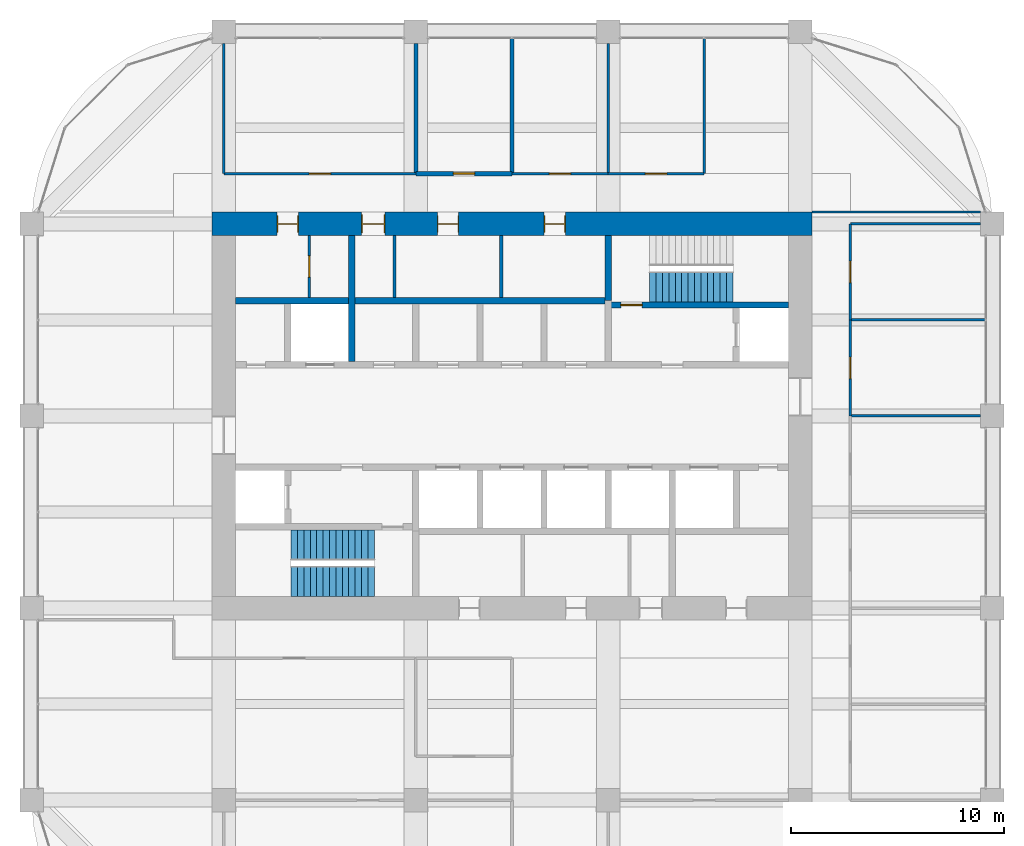
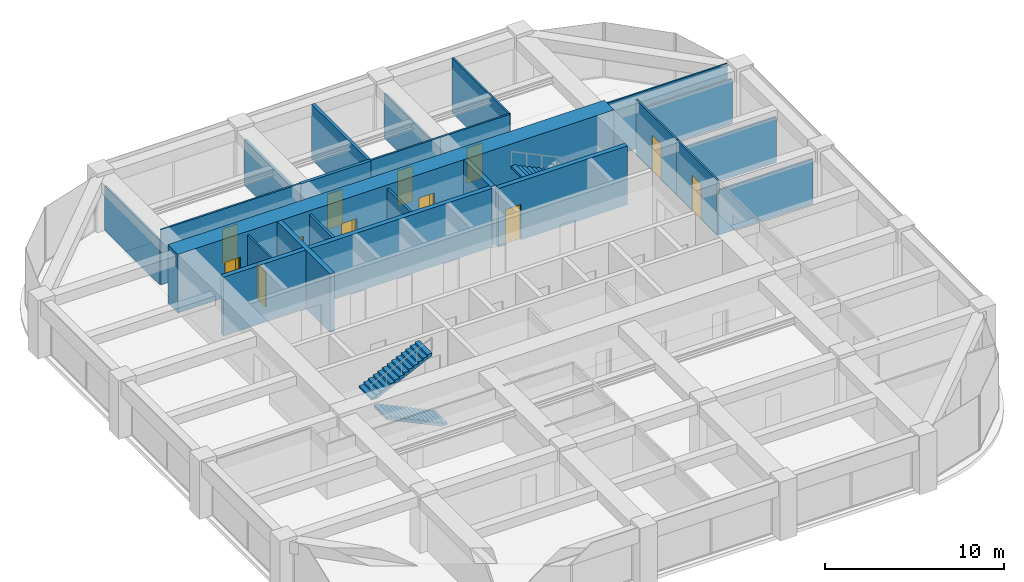
# One storey, part 43 of 45: 23 walls, 12 doors, 3 stair flights, 12 openings, 2 elements without a shape of their own.
"""IFC4 building model written with IfcOpenShell, lengths in metres."""

import ifcopenshell
import ifcopenshell.guid

model = None  # the IFC model being written
_history = None  # IfcOwnerHistory: only IFC2X3 demands one
_inside = {}  # id of a spatial element -> (the spatial element, [elements in it])
_under = {}  # id of a project, library or spatial element -> (it, [spatial elements below it])
_declared = {}  # id of a project -> (the project, [libraries it declares])
_typed = {}  # id of a type object -> (the type object, [elements of that type])
_made_of = {}  # id of a material, layer set ... -> (it, [elements and type objects made of it])


def new_model(schema):
    """Start an empty IFC model of exactly this schema.

    Asked for "IFC4X3", IfcOpenShell would pick the latest addendum, in which some entities
    have other attributes; the version numbers below select the first issue.
    IFC2X3 requires an IfcOwnerHistory on every rooted entity: one is made here for all.
    """
    global model, _history
    if schema == "IFC4X3":
        model = ifcopenshell.file(schema_version=(4, 3, 0, 0))
    else:
        model = ifcopenshell.file(schema=schema)
    _inside.clear()
    _under.clear()
    _declared.clear()
    _typed.clear()
    _made_of.clear()
    _history = None
    if model.schema == "IFC2X3":
        org = make("IfcOrganization", Name="unknown")
        user = make(
            "IfcPersonAndOrganization",
            ThePerson=make("IfcPerson", FamilyName="unknown"),
            TheOrganization=org,
        )
        app = make(
            "IfcApplication",
            ApplicationDeveloper=org,
            Version="unknown",
            ApplicationFullName="unknown",
            ApplicationIdentifier="unknown",
        )
        _history = make(
            "IfcOwnerHistory",
            OwningUser=user,
            OwningApplication=app,
            ChangeAction="ADDED",
            CreationDate=0,
        )
    return model


def make(cls, **values):
    """One entity of the class cls with the attributes given. An attribute that is None is left unset."""
    return model.create_entity(
        cls, **{name: value for name, value in values.items() if value is not None}
    )


def rooted(cls, **values):
    """An entity with a GlobalId (a new one), such as an element, a storey or a relation."""
    return make(cls, GlobalId=ifcopenshell.guid.new(), OwnerHistory=_history, **values)


def si_unit(unit_type, name, prefix=None):
    """IfcSIUnit, for example si_unit("LENGTHUNIT", "METRE", prefix="MILLI")."""
    return make("IfcSIUnit", UnitType=unit_type, Prefix=prefix, Name=name)


def assignment(units):
    """IfcUnitAssignment: the units of a project."""
    return None if units is None else make("IfcUnitAssignment", Units=units)


def point(xyz):
    """IfcCartesianPoint."""
    return None if xyz is None else make("IfcCartesianPoint", Coordinates=xyz)


def direction(xyz):
    """IfcDirection."""
    return None if xyz is None else make("IfcDirection", DirectionRatios=xyz)


def frame(location, z_axis=None, x_axis=None):
    """IfcAxis2Placement3D, a coordinate frame: its origin and axes. An axis left out is left unset."""
    return make(
        "IfcAxis2Placement3D",
        Location=point(location),
        Axis=direction(z_axis),
        RefDirection=direction(x_axis),
    )


def frame_2d(location, x_axis=None):
    """IfcAxis2Placement2D, a coordinate frame in the plane: its origin and x axis."""
    return make(
        "IfcAxis2Placement2D", Location=point(location), RefDirection=direction(x_axis)
    )


def origin():
    """The frame at (0, 0, 0) with its axes left unset."""
    return frame((0.0, 0.0, 0.0))


def place(relative_to, where):
    """IfcLocalPlacement: puts the frame where relative to a parent placement (None: the world)."""
    return make(
        "IfcLocalPlacement", PlacementRelTo=relative_to, RelativePlacement=where
    )


def context(
    kind, dimensions, precision=None, world=None, true_north=None, identifier=None
):
    """IfcGeometricRepresentationContext, for example the 3D "Model" context."""
    return make(
        "IfcGeometricRepresentationContext",
        ContextIdentifier=identifier,
        ContextType=kind,
        CoordinateSpaceDimension=dimensions,
        Precision=precision,
        WorldCoordinateSystem=world,
        TrueNorth=true_north,
    )


def subcontext(parent, identifier, kind, view, scale=None):
    """IfcGeometricRepresentationSubContext, for example "Body" below "Model"."""
    return make(
        "IfcGeometricRepresentationSubContext",
        ContextIdentifier=identifier,
        ContextType=kind,
        ParentContext=parent,
        TargetScale=scale,
        TargetView=view,
    )


def project(units=None, contexts=None):
    """IfcProject with its units and contexts."""
    return rooted(
        "IfcProject",
        Name="project",
        RepresentationContexts=contexts,
        UnitsInContext=assignment(units),
    )


def spatial(cls, under=None, at=None, **own):
    """A site, building, storey or space (cls), placed at a placement, below another one or the project."""
    s = rooted(cls, ObjectPlacement=at, **own)
    if under is not None:
        _under.setdefault(under.id(), (under, []))[1].append(s)
    return s


def polyline(points):
    """IfcPolyline through the points."""
    return make("IfcPolyline", Points=[point(p) for p in points])


def profile(cls, at=None, kind="AREA", **sizes):
    """A parametric profile (cls). Its sizes go by their IFC names, for example OverallWidth=200.0."""
    return make(cls, ProfileType=kind, Position=at, **sizes)


def rectangle(**sizes):
    """IfcRectangleProfileDef."""
    return profile("IfcRectangleProfileDef", **sizes)


def outline(outer, holes=None, kind="AREA"):
    """IfcArbitraryClosedProfileDef: a profile drawn as a closed curve; with holes, ...WithVoids."""
    if holes is None:
        return make("IfcArbitraryClosedProfileDef", ProfileType=kind, OuterCurve=outer)
    return make(
        "IfcArbitraryProfileDefWithVoids",
        ProfileType=kind,
        OuterCurve=outer,
        InnerCurves=holes,
    )


def extrude(swept, where, along, depth):
    """IfcExtrudedAreaSolid: the profile swept, set in the frame where, extruded along a direction by depth."""
    return make(
        "IfcExtrudedAreaSolid",
        SweptArea=swept,
        Position=where,
        ExtrudedDirection=direction(along),
        Depth=depth,
    )


def shape(context_of_items, identifier, shape_type, items):
    """IfcShapeRepresentation: the items that make up one representation, for example the "Body"."""
    return make(
        "IfcShapeRepresentation",
        ContextOfItems=context_of_items,
        RepresentationIdentifier=identifier,
        RepresentationType=shape_type,
        Items=items,
    )


def material(Name=None, Category=None):
    """IfcMaterial."""
    return make("IfcMaterial", Name=Name, Category=Category)


def layer(
    of_material, thickness, ventilated=None, Name=None, Category=None, Priority=None
):
    """IfcMaterialLayer: one layer of a wall or slab, of a material (None: an air gap)."""
    return make(
        "IfcMaterialLayer",
        Material=of_material,
        LayerThickness=thickness,
        IsVentilated=ventilated,
        Name=Name,
        Category=Category,
        Priority=Priority,
    )


def layer_set(layers, Name=None):
    """IfcMaterialLayerSet."""
    return make("IfcMaterialLayerSet", MaterialLayers=layers, LayerSetName=Name)


def made_of(thing, what):
    """Note that an element or type object is made of a material, layer set ...; save() writes the relation."""
    if what is not None:
        _made_of.setdefault(what.id(), (what, []))[1].append(thing)
    return thing


def type_object(cls, material=None, **own):
    """A type object (cls), such as IfcWallType, which elements share."""
    return made_of(rooted(cls, **own), material)


def element(
    cls,
    number,
    at=None,
    inside=None,
    cuts=None,
    type_object=None,
    material=None,
    context=None,
    identifier="Body",
    shape_type=None,
    held_by="IfcProductDefinitionShape",
    body=None,
    shapes=None,
    **own,
):
    """One element of the class cls, such as IfcWall. Its Tag is "e" and its number.

    at: its placement. inside: the storey or other place that contains it. cuts: it is an
    opening in that element (IfcRelVoidsElement). A single representation is given by context,
    identifier, shape_type and body (its items); several are given by shapes. held_by: the class
    of the entity that holds the representations. save() writes the other relations.
    """
    e = rooted(cls, Tag="e%d" % number, ObjectPlacement=at, **own)
    if body is not None:
        shapes = [shape(context, identifier, shape_type, body)]
    if shapes is not None:
        e.Representation = make(held_by, Representations=shapes)
    if inside is not None:
        _inside.setdefault(inside.id(), (inside, []))[1].append(e)
    if cuts is not None:
        rooted(
            "IfcRelVoidsElement", RelatingBuildingElement=cuts, RelatedOpeningElement=e
        )
    if type_object is not None:
        _typed.setdefault(type_object.id(), (type_object, []))[1].append(e)
    return made_of(e, material)


def fill(opening, filler):
    """IfcRelFillsElement: the door or window that sits in an opening."""
    return rooted(
        "IfcRelFillsElement",
        RelatingOpeningElement=opening,
        RelatedBuildingElement=filler,
    )


def aggregate(whole, parts):
    """IfcRelAggregates: a whole, such as a stair, and the parts it consists of."""
    return rooted("IfcRelAggregates", RelatingObject=whole, RelatedObjects=parts)


def save(model, path):
    """Write the relations noted so far, then the file.

    IfcRelAggregates (storeys below a building ...), IfcRelContainedInSpatialStructure (elements
    in a storey), IfcRelDefinesByType, IfcRelAssociatesMaterial and IfcRelDeclares: one each for
    every whole, place, type object, material and project.
    """
    for whole, parts in _under.values():
        aggregate(whole, parts)
    for where, things in _inside.values():
        rooted(
            "IfcRelContainedInSpatialStructure",
            RelatedElements=things,
            RelatingStructure=where,
        )
    for kind, things in _typed.values():
        rooted("IfcRelDefinesByType", RelatedObjects=things, RelatingType=kind)
    for what, things in _made_of.values():
        rooted("IfcRelAssociatesMaterial", RelatedObjects=things, RelatingMaterial=what)
    for by, libraries in _declared.values():
        rooted("IfcRelDeclares", RelatingContext=by, RelatedDefinitions=libraries)
    model.write(path)


model = new_model("IFC4")

# Units and contexts
model_context = context("Model", 3, precision=1e-05, world=origin(), true_north=direction((0.0, 1.0)))
body_context = subcontext(model_context, "Body", "Model", "MODEL_VIEW")
ifc_project = project(units=[si_unit("LENGTHUNIT", "METRE"), si_unit("AREAUNIT", "SQUARE_METRE"), si_unit("VOLUMEUNIT", "CUBIC_METRE"), si_unit("PLANEANGLEUNIT", "RADIAN"), si_unit("MASSUNIT", "GRAM", prefix="KILO")], contexts=[model_context])

# Site, building, storey
site_placement = place(None, origin())
site = spatial("IfcSite", under=ifc_project, at=site_placement, CompositionType="ELEMENT")
building_placement = place(site_placement, origin())
building = spatial("IfcBuilding", under=site, at=building_placement, Name="Zorevar Civic Tower", CompositionType="ELEMENT")
storey_placement = place(building_placement, frame((0.0, 0.0, 279.39990234375)))
storey = spatial("IfcBuildingStorey", under=building, at=storey_placement, Name="L68", CompositionType="ELEMENT", Elevation=279.39990234375)

# Wall, opening, door
ifc_material_1 = material(Name="Concrete blockwork", Category="masonry")
ifc_layer_1 = layer(ifc_material_1, 0.199951171875)
ifc_layer_set_1 = layer_set([ifc_layer_1], Name="Blockwork wall 200")
wall_type_1 = type_object("IfcWallType", Name="Blockwork wall 200", PredefinedType="SOLIDWALL", material=ifc_layer_set_1)
wall_1_placement = place(storey_placement, frame((27.0, 38.35009765625, 0.0), z_axis=(0.0, 0.0, 1.0), x_axis=(1.0, 0.0, 0.0)))
wall_1 = element("IfcWall", 1, at=wall_1_placement, inside=storey, type_object=wall_type_1, Name="Blockwork wall 200 L68", PredefinedType="SOLIDWALL", context=body_context, shape_type="SweptSolid", body=[
    extrude(rectangle(XDim=4.5, YDim=0.199951171875, at=frame_2d((2.25, 0.0))), origin(), (0.0, 0.0, 1.0), 3.75),
])
opening_1_placement = place(wall_1_placement, frame((1.75, 0.0, 0.0)))
opening_1 = element("IfcOpeningElement", 2, at=opening_1_placement, cuts=wall_1, Name="Opening L68.22", PredefinedType="OPENING", context=body_context, shape_type="SweptSolid", body=[
    extrude(rectangle(XDim=1.0, YDim=2.39990234375, at=frame_2d((0.5, 1.199951171875))), frame((0.0, 0.10986328125, 0.0), z_axis=(0.0, -1.0, 0.0), x_axis=(1.0, 0.0, 0.0)), (0.0, 0.0, 1.0), 0.219970703125),
])
ifc_material_2 = material(Name="Steel door set", Category="steel")
door_type_1 = type_object("IfcDoorType", Name="Security door SD1 1000x2400", OperationType="SINGLE_SWING_LEFT", PredefinedType="DOOR", material=ifc_material_2)
door_1_placement = place(opening_1_placement, origin())
door_1 = element("IfcDoor", 3, at=door_1_placement, inside=storey, type_object=door_type_1, Name="Door L68 D1", OperationType="SINGLE_SWING_LEFT", OverallHeight=2.39990234375, OverallWidth=1.0, PredefinedType="DOOR", context=body_context, shape_type="SweptSolid", body=[
    extrude(rectangle(XDim=1.0, YDim=2.39990234375, at=frame_2d((0.5, 1.199951171875))), frame((0.0, 0.03515625, 0.0), z_axis=(0.0, -1.0, 0.0), x_axis=(1.0, 0.0, 0.0)), (0.0, 0.0, 1.0), 0.070068359375),
])
fill(opening_1, door_1)

# Walls
wall_2_placement = place(storey_placement, frame((27.0, 38.35009765625, 0.0), z_axis=(0.0, 0.0, 1.0), x_axis=(0.0, 1.0, 0.0)))
element("IfcWall", 4, at=wall_2_placement, inside=storey, type_object=wall_type_1, Name="Blockwork wall 200 L68", PredefinedType="SOLIDWALL", context=body_context, shape_type="SweptSolid", body=[
    extrude(rectangle(XDim=6.099853515625, YDim=0.199951171875, at=frame_2d((3.0498046875, 0.0))), origin(), (0.0, 0.0, 1.0), 3.050048828125),
])
wall_3_placement = place(storey_placement, frame((31.5, 38.35009765625, 0.0), z_axis=(0.0, 0.0, 1.0), x_axis=(0.0, 1.0, 0.0)))
element("IfcWall", 5, at=wall_3_placement, inside=storey, type_object=wall_type_1, Name="Blockwork wall 200 L68", PredefinedType="SOLIDWALL", context=body_context, shape_type="SweptSolid", body=[
    extrude(rectangle(XDim=6.33984375, YDim=0.199951171875, at=frame_2d((3.169921875, 0.0))), origin(), (0.0, 0.0, 1.0), 3.75),
])

# Wall, openings, doors
ifc_material_3 = material(Name="Concrete C50/60", Category="concrete")
ifc_layer_2 = layer(ifc_material_3, 1.10009765625)
ifc_layer_set_2 = layer_set([ifc_layer_2], Name="Core wall 1100")
wall_type_2 = type_object("IfcWallType", Name="Core wall 1100", PredefinedType="SHEAR", material=ifc_layer_set_2)
wall_4_placement = place(storey_placement, frame((45.550048828125, 36.0, 0.0), z_axis=(0.0, 0.0, 1.0), x_axis=(-1.0, 0.0, 0.0)))
wall_4 = element("IfcWall", 6, at=wall_4_placement, inside=storey, type_object=wall_type_2, Name="Core wall N L68", PredefinedType="SHEAR", context=body_context, shape_type="SweptSolid", body=[
    extrude(rectangle(XDim=28.10009765625, YDim=1.10009765625, at=frame_2d((14.050048828125, 0.0))), origin(), (0.0, 0.0, 1.0), 4.0),
])
opening_2_placement = place(wall_4_placement, frame((11.550048828125, 0.0, 0.0)))
opening_2 = element("IfcOpeningElement", 7, at=opening_2_placement, cuts=wall_4, Name="Opening L68.07", PredefinedType="OPENING", context=body_context, shape_type="SweptSolid", body=[
    extrude(rectangle(XDim=1.0, YDim=2.39990234375, at=frame_2d((0.5, 1.199951171875))), frame((0.0, 0.56005859375, 0.0), z_axis=(0.0, -1.0, 0.0), x_axis=(1.0, 0.0, 0.0)), (0.0, 0.0, 1.0), 1.1201171875),
])
opening_3_placement = place(wall_4_placement, frame((16.550048828125, 0.0, 0.0)))
opening_3 = element("IfcOpeningElement", 8, at=opening_3_placement, cuts=wall_4, Name="Opening L68.08", PredefinedType="OPENING", context=body_context, shape_type="SweptSolid", body=[
    extrude(rectangle(XDim=1.0, YDim=2.39990234375, at=frame_2d((0.5, 1.199951171875))), frame((0.0, 0.56005859375, 0.0), z_axis=(0.0, -1.0, 0.0), x_axis=(1.0, 0.0, 0.0)), (0.0, 0.0, 1.0), 1.1201171875),
])
opening_4_placement = place(wall_4_placement, frame((20.0, 0.0, 0.0)))
opening_4 = element("IfcOpeningElement", 9, at=opening_4_placement, cuts=wall_4, Name="Opening L68.09", PredefinedType="OPENING", context=body_context, shape_type="SweptSolid", body=[
    extrude(rectangle(XDim=1.10009765625, YDim=2.39990234375, at=frame_2d((0.550048828125, 1.199951171875))), frame((0.0, 0.56005859375, 0.0), z_axis=(0.0, -1.0, 0.0), x_axis=(1.0, 0.0, 0.0)), (0.0, 0.0, 1.0), 1.1201171875),
])
opening_5_placement = place(wall_4_placement, frame((24.050048828125, 0.0, 0.0)))
opening_5 = element("IfcOpeningElement", 10, at=opening_5_placement, cuts=wall_4, Name="Opening L68.10", PredefinedType="OPENING", context=body_context, shape_type="SweptSolid", body=[
    extrude(rectangle(XDim=1.0, YDim=2.39990234375, at=frame_2d((0.5, 1.199951171875))), frame((0.0, 0.56005859375, 0.0), z_axis=(0.0, -1.0, 0.0), x_axis=(1.0, 0.0, 0.0)), (0.0, 0.0, 1.0), 1.1201171875),
])
ifc_material_4 = material(Name="Timber door set", Category="wood")
door_type_2 = type_object("IfcDoorType", Name="Door D1 1000x2400", OperationType="SINGLE_SWING_LEFT", PredefinedType="DOOR", material=ifc_material_4)
door_2_placement = place(opening_2_placement, origin())
door_2 = element("IfcDoor", 11, at=door_2_placement, inside=storey, type_object=door_type_2, Name="Door L68 06", OperationType="SINGLE_SWING_LEFT", OverallHeight=2.39990234375, OverallWidth=1.0, PredefinedType="DOOR", context=body_context, shape_type="SweptSolid", body=[
    extrude(rectangle(XDim=1.0, YDim=2.39990234375, at=frame_2d((0.5, 1.199951171875))), frame((0.0, 0.02490234375, 0.0), z_axis=(0.0, -1.0, 0.0), x_axis=(1.0, 0.0, 0.0)), (0.0, 0.0, 1.0), 0.050048828125),
    extrude(rectangle(XDim=0.04, YDim=2.39990234375, at=frame_2d((0.02001953125, 1.199951171875))), frame((0.0, 0.39990234375, 0.0), z_axis=(0.0, -1.0, 0.0), x_axis=(1.0, 0.0, 0.0)), (0.0, 0.0, 1.0), 0.800048828125),
    extrude(rectangle(XDim=0.04, YDim=2.39990234375, at=frame_2d((0.97998046875, 1.199951171875))), frame((0.0, 0.39990234375, 0.0), z_axis=(0.0, -1.0, 0.0), x_axis=(1.0, 0.0, 0.0)), (0.0, 0.0, 1.0), 0.800048828125),
    extrude(rectangle(XDim=1.0, YDim=0.04, at=frame_2d((0.5, 2.3798828125))), frame((0.0, 0.39990234375, 0.0), z_axis=(0.0, -1.0, 0.0), x_axis=(1.0, 0.0, 0.0)), (0.0, 0.0, 1.0), 0.800048828125),
])
fill(opening_2, door_2)
door_3_placement = place(opening_3_placement, origin())
door_3 = element("IfcDoor", 12, at=door_3_placement, inside=storey, type_object=door_type_2, Name="Door L68 07", OperationType="SINGLE_SWING_RIGHT", OverallHeight=2.39990234375, OverallWidth=1.0, PredefinedType="DOOR", context=body_context, shape_type="SweptSolid", body=[
    extrude(rectangle(XDim=1.0, YDim=2.39990234375, at=frame_2d((0.5, 1.199951171875))), frame((0.0, 0.02490234375, 0.0), z_axis=(0.0, -1.0, 0.0), x_axis=(1.0, 0.0, 0.0)), (0.0, 0.0, 1.0), 0.050048828125),
    extrude(rectangle(XDim=0.04, YDim=2.39990234375, at=frame_2d((0.02001953125, 1.199951171875))), frame((0.0, 0.39990234375, 0.0), z_axis=(0.0, -1.0, 0.0), x_axis=(1.0, 0.0, 0.0)), (0.0, 0.0, 1.0), 0.800048828125),
    extrude(rectangle(XDim=0.04, YDim=2.39990234375, at=frame_2d((0.97998046875, 1.199951171875))), frame((0.0, 0.39990234375, 0.0), z_axis=(0.0, -1.0, 0.0), x_axis=(1.0, 0.0, 0.0)), (0.0, 0.0, 1.0), 0.800048828125),
    extrude(rectangle(XDim=1.0, YDim=0.04, at=frame_2d((0.5, 2.3798828125))), frame((0.0, 0.39990234375, 0.0), z_axis=(0.0, -1.0, 0.0), x_axis=(1.0, 0.0, 0.0)), (0.0, 0.0, 1.0), 0.800048828125),
])
fill(opening_3, door_3)
door_4_placement = place(opening_5_placement, origin())
door_4 = element("IfcDoor", 13, at=door_4_placement, inside=storey, type_object=door_type_2, Name="Door L68 09", OperationType="SINGLE_SWING_RIGHT", OverallHeight=2.39990234375, OverallWidth=1.0, PredefinedType="DOOR", context=body_context, shape_type="SweptSolid", body=[
    extrude(rectangle(XDim=1.0, YDim=2.39990234375, at=frame_2d((0.5, 1.199951171875))), frame((0.0, 0.02490234375, 0.0), z_axis=(0.0, -1.0, 0.0), x_axis=(1.0, 0.0, 0.0)), (0.0, 0.0, 1.0), 0.050048828125),
    extrude(rectangle(XDim=0.04, YDim=2.39990234375, at=frame_2d((0.02001953125, 1.199951171875))), frame((0.0, 0.39990234375, 0.0), z_axis=(0.0, -1.0, 0.0), x_axis=(1.0, 0.0, 0.0)), (0.0, 0.0, 1.0), 0.800048828125),
    extrude(rectangle(XDim=0.04, YDim=2.39990234375, at=frame_2d((0.97998046875, 1.199951171875))), frame((0.0, 0.39990234375, 0.0), z_axis=(0.0, -1.0, 0.0), x_axis=(1.0, 0.0, 0.0)), (0.0, 0.0, 1.0), 0.800048828125),
    extrude(rectangle(XDim=1.0, YDim=0.04, at=frame_2d((0.5, 2.3798828125))), frame((0.0, 0.39990234375, 0.0), z_axis=(0.0, -1.0, 0.0), x_axis=(1.0, 0.0, 0.0)), (0.0, 0.0, 1.0), 0.800048828125),
])
fill(opening_5, door_4)
ifc_material_5 = material(Name="Timber door set", Category="wood")
door_type_3 = type_object("IfcDoorType", Name="Door D5 1100x2400", OperationType="SINGLE_SWING_LEFT", PredefinedType="DOOR", material=ifc_material_5)
door_5_placement = place(opening_4_placement, origin())
door_5 = element("IfcDoor", 14, at=door_5_placement, inside=storey, type_object=door_type_3, Name="Door L68 08", OperationType="SINGLE_SWING_RIGHT", OverallHeight=2.39990234375, OverallWidth=1.10009765625, PredefinedType="DOOR", context=body_context, shape_type="SweptSolid", body=[
    extrude(rectangle(XDim=1.10009765625, YDim=2.39990234375, at=frame_2d((0.550048828125, 1.199951171875))), frame((0.0, 0.02490234375, 0.0), z_axis=(0.0, -1.0, 0.0), x_axis=(1.0, 0.0, 0.0)), (0.0, 0.0, 1.0), 0.050048828125),
    extrude(rectangle(XDim=0.04, YDim=2.39990234375, at=frame_2d((0.02001953125, 1.199951171875))), frame((0.0, 0.43994140625, 0.0), z_axis=(0.0, -1.0, 0.0), x_axis=(1.0, 0.0, 0.0)), (0.0, 0.0, 1.0), 0.880126953125),
    extrude(rectangle(XDim=0.04, YDim=2.39990234375, at=frame_2d((1.080078125, 1.199951171875))), frame((0.0, 0.43994140625, 0.0), z_axis=(0.0, -1.0, 0.0), x_axis=(1.0, 0.0, 0.0)), (0.0, 0.0, 1.0), 0.880126953125),
    extrude(rectangle(XDim=1.10009765625, YDim=0.04, at=frame_2d((0.550048828125, 2.3798828125))), frame((0.0, 0.43994140625, 0.0), z_axis=(0.0, -1.0, 0.0), x_axis=(1.0, 0.0, 0.0)), (0.0, 0.0, 1.0), 0.880126953125),
])
fill(opening_4, door_5)

# Wall
ifc_material_6 = material(Name="Laminated glass in black aluminium frame", Category="aluminium")
ifc_layer_3 = layer(ifc_material_6, 0.10009765625)
ifc_layer_set_3 = layer_set([ifc_layer_3], Name="Glazed partition 100")
wall_type_3 = type_object("IfcWallType", Name="Glazed partition 100", PredefinedType="PARTITIONING", material=ifc_layer_set_3)
wall_5_placement = place(storey_placement, frame((45.550048828125, 36.550048828125, 0.0), z_axis=(0.0, 0.0, 1.0), x_axis=(1.0, 0.0, 0.0)))
element("IfcWall", 15, at=wall_5_placement, inside=storey, type_object=wall_type_3, Name="Glazed partition 100 L68", PredefinedType="PARTITIONING", context=body_context, shape_type="SweptSolid", body=[
    extrude(rectangle(XDim=7.89990234375, YDim=0.10009765625, at=frame_2d((3.949951171875, 0.0))), origin(), (0.0, 0.0, 1.0), 3.75),
])

# Wall, opening, door
ifc_material_7 = material(Name="Concrete C40/50", Category="concrete")
ifc_layer_4 = layer(ifc_material_7, 0.300048828125)
ifc_layer_set_4 = layer_set([ifc_layer_4], Name="Inner core wall 300")
wall_type_4 = type_object("IfcWallType", Name="Inner core wall 300", PredefinedType="SHEAR", material=ifc_layer_set_4)
wall_6_placement = place(storey_placement, frame((36.14990234375, 32.199951171875, 0.0), z_axis=(0.0, 0.0, 1.0), x_axis=(1.0, 0.0, 0.0)))
wall_6 = element("IfcWall", 16, at=wall_6_placement, inside=storey, type_object=wall_type_4, Name="Inner core wall N00 L68", PredefinedType="SHEAR", context=body_context, shape_type="SweptSolid", body=[
    extrude(rectangle(XDim=8.300048828125, YDim=0.300048828125, at=frame_2d((4.14990234375, 0.0))), origin(), (0.0, 0.0, 1.0), 4.0),
])
opening_6_placement = place(wall_6_placement, frame((0.449951171875, 0.0, 0.0)))
opening_6 = element("IfcOpeningElement", 17, at=opening_6_placement, cuts=wall_6, Name="Opening L68.12", PredefinedType="OPENING", context=body_context, shape_type="SweptSolid", body=[
    extrude(rectangle(XDim=1.0, YDim=2.39990234375, at=frame_2d((0.5, 1.199951171875))), frame((0.0, 0.159912109375, 0.0), z_axis=(0.0, -1.0, 0.0), x_axis=(1.0, 0.0, 0.0)), (0.0, 0.0, 1.0), 0.320068359375),
])
ifc_material_8 = material(Name="Steel door set", Category="steel")
door_type_4 = type_object("IfcDoorType", Name="Fire door FD1 1000x2400", OperationType="SINGLE_SWING_LEFT", PredefinedType="DOOR", material=ifc_material_8)
door_6_placement = place(opening_6_placement, origin())
door_6 = element("IfcDoor", 18, at=door_6_placement, inside=storey, type_object=door_type_4, Name="Door L68 11", OperationType="SINGLE_SWING_RIGHT", OverallHeight=2.39990234375, OverallWidth=1.0, PredefinedType="DOOR", context=body_context, shape_type="SweptSolid", body=[
    extrude(rectangle(XDim=1.0, YDim=2.39990234375, at=frame_2d((0.5, 1.199951171875))), frame((0.0, 0.030029296875, 0.0), z_axis=(0.0, -1.0, 0.0), x_axis=(1.0, 0.0, 0.0)), (0.0, 0.0, 1.0), 0.06005859375),
])
fill(opening_6, door_6)

# Walls
wall_7_placement = place(storey_placement, frame((36.0, 32.39990234375, 0.0), z_axis=(0.0, 0.0, 1.0), x_axis=(0.0, 1.0, 0.0)))
element("IfcWall", 19, at=wall_7_placement, inside=storey, type_object=wall_type_4, Name="Inner core wall N01 L68", PredefinedType="SHEAR", context=body_context, shape_type="SweptSolid", body=[
    extrude(rectangle(XDim=3.050048828125, YDim=0.300048828125, at=frame_2d((1.52490234375, 0.0))), origin(), (0.0, 0.0, 1.0), 4.0),
])
wall_8_placement = place(storey_placement, frame((18.550048828125, 32.39990234375, 0.0), z_axis=(0.0, 0.0, 1.0), x_axis=(1.0, 0.0, 0.0)))
element("IfcWall", 20, at=wall_8_placement, inside=storey, type_object=wall_type_4, Name="Inner core wall N04 L68", PredefinedType="SHEAR", context=body_context, shape_type="SweptSolid", body=[
    extrude(rectangle(XDim=17.300048828125, YDim=0.300048828125, at=frame_2d((8.64990234375, 0.0))), origin(), (0.0, 0.0, 1.0), 4.0),
])
wall_9_placement = place(storey_placement, frame((24.0, 29.550048828125, 0.0), z_axis=(0.0, 0.0, 1.0), x_axis=(0.0, 1.0, 0.0)))
element("IfcWall", 21, at=wall_9_placement, inside=storey, type_object=wall_type_4, Name="Inner core wall N08 L68", PredefinedType="SHEAR", context=body_context, shape_type="SweptSolid", body=[
    extrude(rectangle(XDim=5.89990234375, YDim=0.300048828125, at=frame_2d((2.949951171875, 0.0))), origin(), (0.0, 0.0, 1.0), 4.0),
])
ifc_material_9 = material(Name="Gypsum board on steel studs", Category="steel")
ifc_layer_5 = layer(ifc_material_9, 0.1201171875)
ifc_layer_set_5 = layer_set([ifc_layer_5], Name="Partition 120")
wall_type_5 = type_object("IfcWallType", Name="Partition 120", PredefinedType="PARTITIONING", material=ifc_layer_set_5)
wall_10_placement = place(storey_placement, frame((47.35009765625, 27.0, 0.0), z_axis=(0.0, 0.0, 1.0), x_axis=(1.0, 0.0, 0.0)))
element("IfcWall", 22, at=wall_10_placement, inside=storey, type_object=wall_type_5, Name="Partition 120 L68", PredefinedType="PARTITIONING", context=body_context, shape_type="SweptSolid", body=[
    extrude(rectangle(XDim=6.099853515625, YDim=0.1201171875, at=frame_2d((3.0498046875, 0.0))), origin(), (0.0, 0.0, 1.0), 3.050048828125),
])
wall_11_placement = place(storey_placement, frame((47.35009765625, 31.5, 0.0), z_axis=(0.0, 0.0, 1.0), x_axis=(1.0, 0.0, 0.0)))
element("IfcWall", 23, at=wall_11_placement, inside=storey, type_object=wall_type_5, Name="Partition 120 L68", PredefinedType="PARTITIONING", context=body_context, shape_type="SweptSolid", body=[
    extrude(rectangle(XDim=6.33984375, YDim=0.1201171875, at=frame_2d((3.169921875, 0.0))), origin(), (0.0, 0.0, 1.0), 3.10009765625),
])
wall_12_placement = place(storey_placement, frame((47.35009765625, 36.0, 0.0), z_axis=(0.0, 0.0, 1.0), x_axis=(1.0, 0.0, 0.0)))
element("IfcWall", 24, at=wall_12_placement, inside=storey, type_object=wall_type_5, Name="Partition 120 L68", PredefinedType="PARTITIONING", context=body_context, shape_type="SweptSolid", body=[
    extrude(rectangle(XDim=6.099853515625, YDim=0.1201171875, at=frame_2d((3.0498046875, 0.0))), origin(), (0.0, 0.0, 1.0), 3.050048828125),
])

# Wall, opening, door
wall_13_placement = place(storey_placement, frame((18.0, 38.35009765625, 0.0), z_axis=(0.0, 0.0, 1.0), x_axis=(1.0, 0.0, 0.0)))
wall_13 = element("IfcWall", 25, at=wall_13_placement, inside=storey, type_object=wall_type_5, Name="Partition 120 L68", PredefinedType="PARTITIONING", context=body_context, shape_type="SweptSolid", body=[
    extrude(rectangle(XDim=9.0, YDim=0.1201171875, at=frame_2d((4.5, 0.0))), origin(), (0.0, 0.0, 1.0), 3.75),
])
opening_7_placement = place(wall_13_placement, frame((4.0, 0.0, 0.0)))
opening_7 = element("IfcOpeningElement", 26, at=opening_7_placement, cuts=wall_13, Name="Opening L68.23", PredefinedType="OPENING", context=body_context, shape_type="SweptSolid", body=[
    extrude(rectangle(XDim=1.0, YDim=2.39990234375, at=frame_2d((0.5, 1.199951171875))), frame((0.0, 0.070068359375, 0.0), z_axis=(0.0, -1.0, 0.0), x_axis=(1.0, 0.0, 0.0)), (0.0, 0.0, 1.0), 0.14013671875),
])
door_7_placement = place(opening_7_placement, origin())
door_7 = element("IfcDoor", 27, at=door_7_placement, inside=storey, type_object=door_type_2, Name="Door L68 D1", OperationType="SINGLE_SWING_LEFT", OverallHeight=2.39990234375, OverallWidth=1.0, PredefinedType="DOOR", context=body_context, shape_type="SweptSolid", body=[
    extrude(rectangle(XDim=1.0, YDim=2.39990234375, at=frame_2d((0.5, 1.199951171875))), frame((0.0, 0.02490234375, 0.0), z_axis=(0.0, -1.0, 0.0), x_axis=(1.0, 0.0, 0.0)), (0.0, 0.0, 1.0), 0.050048828125),
])
fill(opening_7, door_7)

wall_14_placement = place(storey_placement, frame((31.5, 38.35009765625, 0.0), z_axis=(0.0, 0.0, 1.0), x_axis=(1.0, 0.0, 0.0)))
wall_14 = element("IfcWall", 28, at=wall_14_placement, inside=storey, type_object=wall_type_5, Name="Partition 120 L68", PredefinedType="PARTITIONING", context=body_context, shape_type="SweptSolid", body=[
    extrude(rectangle(XDim=4.5, YDim=0.1201171875, at=frame_2d((2.25, 0.0))), origin(), (0.0, 0.0, 1.0), 3.75),
])
opening_8_placement = place(wall_14_placement, frame((1.75, 0.0, 0.0)))
opening_8 = element("IfcOpeningElement", 29, at=opening_8_placement, cuts=wall_14, Name="Opening L68.24", PredefinedType="OPENING", context=body_context, shape_type="SweptSolid", body=[
    extrude(rectangle(XDim=1.0, YDim=2.39990234375, at=frame_2d((0.5, 1.199951171875))), frame((0.0, 0.070068359375, 0.0), z_axis=(0.0, -1.0, 0.0), x_axis=(1.0, 0.0, 0.0)), (0.0, 0.0, 1.0), 0.14013671875),
])
door_8_placement = place(opening_8_placement, origin())
door_8 = element("IfcDoor", 30, at=door_8_placement, inside=storey, type_object=door_type_2, Name="Door L68 D1", OperationType="SINGLE_SWING_RIGHT", OverallHeight=2.39990234375, OverallWidth=1.0, PredefinedType="DOOR", context=body_context, shape_type="SweptSolid", body=[
    extrude(rectangle(XDim=1.0, YDim=2.39990234375, at=frame_2d((0.5, 1.199951171875))), frame((0.0, 0.02490234375, 0.0), z_axis=(0.0, -1.0, 0.0), x_axis=(1.0, 0.0, 0.0)), (0.0, 0.0, 1.0), 0.050048828125),
])
fill(opening_8, door_8)

wall_15_placement = place(storey_placement, frame((36.0, 38.35009765625, 0.0), z_axis=(0.0, 0.0, 1.0), x_axis=(1.0, 0.0, 0.0)))
wall_15 = element("IfcWall", 31, at=wall_15_placement, inside=storey, type_object=wall_type_5, Name="Partition 120 L68", PredefinedType="PARTITIONING", context=body_context, shape_type="SweptSolid", body=[
    extrude(rectangle(XDim=4.5, YDim=0.1201171875, at=frame_2d((2.25, 0.0))), origin(), (0.0, 0.0, 1.0), 3.75),
])
opening_9_placement = place(wall_15_placement, frame((1.75, 0.0, 0.0)))
opening_9 = element("IfcOpeningElement", 32, at=opening_9_placement, cuts=wall_15, Name="Opening L68.25", PredefinedType="OPENING", context=body_context, shape_type="SweptSolid", body=[
    extrude(rectangle(XDim=1.0, YDim=2.39990234375, at=frame_2d((0.5, 1.199951171875))), frame((0.0, 0.070068359375, 0.0), z_axis=(0.0, -1.0, 0.0), x_axis=(1.0, 0.0, 0.0)), (0.0, 0.0, 1.0), 0.14013671875),
])
door_9_placement = place(opening_9_placement, origin())
door_9 = element("IfcDoor", 33, at=door_9_placement, inside=storey, type_object=door_type_2, Name="Door L68 D1", OperationType="SINGLE_SWING_RIGHT", OverallHeight=2.39990234375, OverallWidth=1.0, PredefinedType="DOOR", context=body_context, shape_type="SweptSolid", body=[
    extrude(rectangle(XDim=1.0, YDim=2.39990234375, at=frame_2d((0.5, 1.199951171875))), frame((0.0, 0.02490234375, 0.0), z_axis=(0.0, -1.0, 0.0), x_axis=(1.0, 0.0, 0.0)), (0.0, 0.0, 1.0), 0.050048828125),
])
fill(opening_9, door_9)

# Walls
for number, where, z_axis, x_axis, name in (
    (34, (18.0, 38.35009765625, 0.0), (0.0, 0.0, 1.0), (0.0, 1.0, 0.0), "Partition 120 L68"),
    (35, (36.0, 38.35009765625, 0.0), (0.0, 0.0, 1.0), (0.0, 1.0, 0.0), "Partition 120 L68"),
):
    element("IfcWall", number, at=place(storey_placement, frame(where, z_axis=z_axis, x_axis=x_axis)), inside=storey, type_object=wall_type_5, Name=name, PredefinedType="PARTITIONING", context=body_context, shape_type="SweptSolid", body=[
        extrude(rectangle(XDim=6.099853515625, YDim=0.1201171875, at=frame_2d((3.0498046875, 0.0))), origin(), (0.0, 0.0, 1.0), 3.050048828125),
    ])
wall_16_placement = place(storey_placement, frame((40.5, 38.35009765625, 0.0), z_axis=(0.0, 0.0, 1.0), x_axis=(0.0, 1.0, 0.0)))
element("IfcWall", 36, at=wall_16_placement, inside=storey, type_object=wall_type_5, Name="Partition 120 L68", PredefinedType="PARTITIONING", context=body_context, shape_type="SweptSolid", body=[
    extrude(rectangle(XDim=6.33984375, YDim=0.1201171875, at=frame_2d((3.169921875, 0.0))), origin(), (0.0, 0.0, 1.0), 3.75),
])

# Wall, opening, door
wall_17_placement = place(storey_placement, frame((47.35009765625, 27.0, 0.0), z_axis=(0.0, 0.0, 1.0), x_axis=(0.0, 1.0, 0.0)))
wall_17 = element("IfcWall", 37, at=wall_17_placement, inside=storey, type_object=wall_type_5, Name="Partition 120 L68", PredefinedType="PARTITIONING", context=body_context, shape_type="SweptSolid", body=[
    extrude(rectangle(XDim=4.5, YDim=0.1201171875, at=frame_2d((2.25, 0.0))), origin(), (0.0, 0.0, 1.0), 3.75),
])
opening_10_placement = place(wall_17_placement, frame((1.75, 0.0, 0.0)))
opening_10 = element("IfcOpeningElement", 38, at=opening_10_placement, cuts=wall_17, Name="Opening L68.30", PredefinedType="OPENING", context=body_context, shape_type="SweptSolid", body=[
    extrude(rectangle(XDim=1.0, YDim=2.39990234375, at=frame_2d((0.5, 1.199951171875))), frame((0.0, 0.070068359375, 0.0), z_axis=(0.0, -1.0, 0.0), x_axis=(1.0, 0.0, 0.0)), (0.0, 0.0, 1.0), 0.14013671875),
])
door_10_placement = place(opening_10_placement, origin())
door_10 = element("IfcDoor", 39, at=door_10_placement, inside=storey, type_object=door_type_2, Name="Door L68 D1", OperationType="SINGLE_SWING_LEFT", OverallHeight=2.39990234375, OverallWidth=1.0, PredefinedType="DOOR", context=body_context, shape_type="SweptSolid", body=[
    extrude(rectangle(XDim=1.0, YDim=2.39990234375, at=frame_2d((0.5, 1.199951171875))), frame((0.0, 0.02490234375, 0.0), z_axis=(0.0, -1.0, 0.0), x_axis=(1.0, 0.0, 0.0)), (0.0, 0.0, 1.0), 0.050048828125),
])
fill(opening_10, door_10)

wall_18_placement = place(storey_placement, frame((47.35009765625, 31.5, 0.0), z_axis=(0.0, 0.0, 1.0), x_axis=(0.0, 1.0, 0.0)))
wall_18 = element("IfcWall", 40, at=wall_18_placement, inside=storey, type_object=wall_type_5, Name="Partition 120 L68", PredefinedType="PARTITIONING", context=body_context, shape_type="SweptSolid", body=[
    extrude(rectangle(XDim=4.5, YDim=0.1201171875, at=frame_2d((2.25, 0.0))), origin(), (0.0, 0.0, 1.0), 3.75),
])
opening_11_placement = place(wall_18_placement, frame((1.75, 0.0, 0.0)))
opening_11 = element("IfcOpeningElement", 41, at=opening_11_placement, cuts=wall_18, Name="Opening L68.31", PredefinedType="OPENING", context=body_context, shape_type="SweptSolid", body=[
    extrude(rectangle(XDim=1.0, YDim=2.39990234375, at=frame_2d((0.5, 1.199951171875))), frame((0.0, 0.070068359375, 0.0), z_axis=(0.0, -1.0, 0.0), x_axis=(1.0, 0.0, 0.0)), (0.0, 0.0, 1.0), 0.14013671875),
])
door_11_placement = place(opening_11_placement, origin())
door_11 = element("IfcDoor", 42, at=door_11_placement, inside=storey, type_object=door_type_2, Name="Door L68 D1", OperationType="SINGLE_SWING_LEFT", OverallHeight=2.39990234375, OverallWidth=1.0, PredefinedType="DOOR", context=body_context, shape_type="SweptSolid", body=[
    extrude(rectangle(XDim=1.0, YDim=2.39990234375, at=frame_2d((0.5, 1.199951171875))), frame((0.0, 0.02490234375, 0.0), z_axis=(0.0, -1.0, 0.0), x_axis=(1.0, 0.0, 0.0)), (0.0, 0.0, 1.0), 0.050048828125),
])
fill(opening_11, door_11)

wall_19_placement = place(storey_placement, frame((22.0, 32.550048828125, 0.0), z_axis=(0.0, 0.0, 1.0), x_axis=(0.0, 1.0, 0.0)))
wall_19 = element("IfcWall", 43, at=wall_19_placement, inside=storey, type_object=wall_type_5, Name="Partition L68", PredefinedType="PARTITIONING", context=body_context, shape_type="SweptSolid", body=[
    extrude(rectangle(XDim=2.89990234375, YDim=0.1201171875, at=frame_2d((1.449951171875, 0.0))), origin(), (0.0, 0.0, 1.0), 3.75),
])
opening_12_placement = place(wall_19_placement, frame((0.949951171875, 0.0, 0.0)))
opening_12 = element("IfcOpeningElement", 44, at=opening_12_placement, cuts=wall_19, Name="Opening L68.32", PredefinedType="OPENING", context=body_context, shape_type="SweptSolid", body=[
    extrude(rectangle(XDim=1.0, YDim=2.39990234375, at=frame_2d((0.5, 1.199951171875))), frame((0.0, 0.070068359375, 0.0), z_axis=(0.0, -1.0, 0.0), x_axis=(1.0, 0.0, 0.0)), (0.0, 0.0, 1.0), 0.14013671875),
])
door_12_placement = place(opening_12_placement, origin())
door_12 = element("IfcDoor", 45, at=door_12_placement, inside=storey, type_object=door_type_4, Name="Door L68 EN", OperationType="SINGLE_SWING_RIGHT", OverallHeight=2.39990234375, OverallWidth=1.0, PredefinedType="DOOR", context=body_context, shape_type="SweptSolid", body=[
    extrude(rectangle(XDim=1.0, YDim=2.39990234375, at=frame_2d((0.5, 1.199951171875))), frame((0.0, 0.030029296875, 0.0), z_axis=(0.0, -1.0, 0.0), x_axis=(1.0, 0.0, 0.0)), (0.0, 0.0, 1.0), 0.06005859375),
])
fill(opening_12, door_12)

# Walls
ifc_material_10 = material(Name="Gypsum board on steel studs, moisture resistant", Category="steel")
ifc_layer_6 = layer(ifc_material_10, 0.14990234375)
ifc_layer_set_6 = layer_set([ifc_layer_6], Name="WC partition 150")
wall_type_6 = type_object("IfcWallType", Name="WC partition 150", PredefinedType="PARTITIONING", material=ifc_layer_set_6)
for number, where, z_axis, x_axis, name in (
    (46, (31.0, 32.550048828125, 0.0), (0.0, 0.0, 1.0), (0.0, 1.0, 0.0), "WC partition L68"),
    (47, (26.0, 32.550048828125, 0.0), (0.0, 0.0, 1.0), (0.0, 1.0, 0.0), "WC partition L68"),
):
    element("IfcWall", number, at=place(storey_placement, frame(where, z_axis=z_axis, x_axis=x_axis)), inside=storey, type_object=wall_type_6, Name=name, PredefinedType="PARTITIONING", context=body_context, shape_type="SweptSolid", body=[
        extrude(rectangle(XDim=2.89990234375, YDim=0.14990234375, at=frame_2d((1.449951171875, 0.0))), origin(), (0.0, 0.0, 1.0), 3.75),
    ])

# Stair, stair flights
ifc_material_11 = material(Name="Precast concrete C40/50", Category="concrete")
stair_type = type_object("IfcStairType", Name="Stair ST 28R", PredefinedType="HALF_TURN_STAIR", material=ifc_material_11)
stair_1_placement = place(storey_placement, origin())
stair_1 = element("IfcStair", 48, at=stair_1_placement, inside=storey, type_object=stair_type, Name="Stair ST1 L68", PredefinedType="HALF_TURN_STAIR")
ifc_material_12 = material(Name="Precast concrete C40/50", Category="concrete")
stair_flight_type = type_object("IfcStairFlightType", Name="Stair flight", PredefinedType="STRAIGHT", material=ifc_material_12)
stair_flight_1_placement = place(storey_placement, frame((25.050048828125, 19.262451171875, 0.0), z_axis=(0.0, 0.0, 1.0), x_axis=(-1.0, 0.0, 0.0)))
stair_flight_1 = element("IfcStairFlight", 49, at=stair_flight_1_placement, type_object=stair_flight_type, Name="ST1 flight 1", NumberOfRisers=14, NumberOfTreads=13, PredefinedType="STRAIGHT", RiserHeight=0.142857143, TreadLength=0.3, context=body_context, shape_type="SweptSolid", body=[
    extrude(outline(polyline([(0.0, 0.0), (0.0, 0.142822265625), (0.300048828125, 0.142822265625), (0.300048828125, 0.28564453125), (0.60009765625, 0.28564453125), (0.60009765625, 0.428466796875), (0.89990234375, 0.428466796875), (0.89990234375, 0.571533203125), (1.199951171875, 0.571533203125), (1.199951171875, 0.71435546875), (1.5, 0.71435546875), (1.5, 0.857177734375), (1.800048828125, 0.857177734375), (1.800048828125, 1.0), (2.10009765625, 1.0), (2.10009765625, 1.142822265625), (2.39990234375, 1.142822265625), (2.39990234375, 1.28564453125), (2.699951171875, 1.28564453125), (2.699951171875, 1.428466796875), (3.0, 1.428466796875), (3.0, 1.571533203125), (3.300048828125, 1.571533203125), (3.300048828125, 1.71435546875), (3.60009765625, 1.71435546875), (3.60009765625, 1.857177734375), (3.89990234375, 1.857177734375), (3.89990234375, 2.0), (3.89990234375, 1.691162109375), (0.3486328125, 0.0), (0.0, 0.0)])), frame((0.0, 0.71240234375, 0.0), z_axis=(0.0, -1.0, 0.0), x_axis=(1.0, 0.0, 0.0)), (0.0, 0.0, 1.0), 1.425048828125),
])
stair_flight_2_placement = place(storey_placement, frame((21.14990234375, 20.9375, 2.0), z_axis=(0.0, 0.0, 1.0), x_axis=(1.0, 0.0, 0.0)))
stair_flight_2 = element("IfcStairFlight", 50, at=stair_flight_2_placement, type_object=stair_flight_type, Name="ST1 flight 2", NumberOfRisers=14, NumberOfTreads=13, PredefinedType="STRAIGHT", RiserHeight=0.142857143, TreadLength=0.3, context=body_context, shape_type="SweptSolid", body=[
    extrude(outline(polyline([(0.0, 0.0), (0.0, 0.142822265625), (0.300048828125, 0.142822265625), (0.300048828125, 0.28564453125), (0.60009765625, 0.28564453125), (0.60009765625, 0.428466796875), (0.89990234375, 0.428466796875), (0.89990234375, 0.571533203125), (1.199951171875, 0.571533203125), (1.199951171875, 0.71435546875), (1.5, 0.71435546875), (1.5, 0.857177734375), (1.800048828125, 0.857177734375), (1.800048828125, 1.0), (2.10009765625, 1.0), (2.10009765625, 1.142822265625), (2.39990234375, 1.142822265625), (2.39990234375, 1.28564453125), (2.699951171875, 1.28564453125), (2.699951171875, 1.428466796875), (3.0, 1.428466796875), (3.0, 1.571533203125), (3.300048828125, 1.571533203125), (3.300048828125, 1.71435546875), (3.60009765625, 1.71435546875), (3.60009765625, 1.857177734375), (3.89990234375, 1.857177734375), (3.89990234375, 2.0), (3.89990234375, 1.691162109375), (0.3486328125, 0.0), (0.0, 0.0)])), frame((0.0, 0.71240234375, 0.0), z_axis=(0.0, -1.0, 0.0), x_axis=(1.0, 0.0, 0.0)), (0.0, 0.0, 1.0), 1.425048828125),
])
aggregate(stair_1, [stair_flight_1, stair_flight_2])

# Stair, stair flight
stair_2_placement = place(storey_placement, origin())
stair_2 = element("IfcStair", 51, at=stair_2_placement, inside=storey, type_object=stair_type, Name="Stair ST2 L68", PredefinedType="HALF_TURN_STAIR")
stair_flight_3_placement = place(storey_placement, frame((41.85009765625, 33.0625, 2.0), z_axis=(0.0, 0.0, 1.0), x_axis=(-1.0, 0.0, 0.0)))
stair_flight_3 = element("IfcStairFlight", 52, at=stair_flight_3_placement, type_object=stair_flight_type, Name="ST2 flight 2", NumberOfRisers=14, NumberOfTreads=13, PredefinedType="STRAIGHT", RiserHeight=0.142857143, TreadLength=0.3, context=body_context, shape_type="SweptSolid", body=[
    extrude(outline(polyline([(0.0, 0.0), (0.0, 0.142822265625), (0.300048828125, 0.142822265625), (0.300048828125, 0.28564453125), (0.60009765625, 0.28564453125), (0.60009765625, 0.428466796875), (0.89990234375, 0.428466796875), (0.89990234375, 0.571533203125), (1.199951171875, 0.571533203125), (1.199951171875, 0.71435546875), (1.5, 0.71435546875), (1.5, 0.857177734375), (1.800048828125, 0.857177734375), (1.800048828125, 1.0), (2.10009765625, 1.0), (2.10009765625, 1.142822265625), (2.39990234375, 1.142822265625), (2.39990234375, 1.28564453125), (2.699951171875, 1.28564453125), (2.699951171875, 1.428466796875), (3.0, 1.428466796875), (3.0, 1.571533203125), (3.300048828125, 1.571533203125), (3.300048828125, 1.71435546875), (3.60009765625, 1.71435546875), (3.60009765625, 1.857177734375), (3.89990234375, 1.857177734375), (3.89990234375, 2.0), (3.89990234375, 1.691162109375), (0.3486328125, 0.0), (0.0, 0.0)])), frame((0.0, 0.71240234375, 0.0), z_axis=(0.0, -1.0, 0.0), x_axis=(1.0, 0.0, 0.0)), (0.0, 0.0, 1.0), 1.425048828125),
])
aggregate(stair_2, [stair_flight_3])

save(model, "model.ifc")
